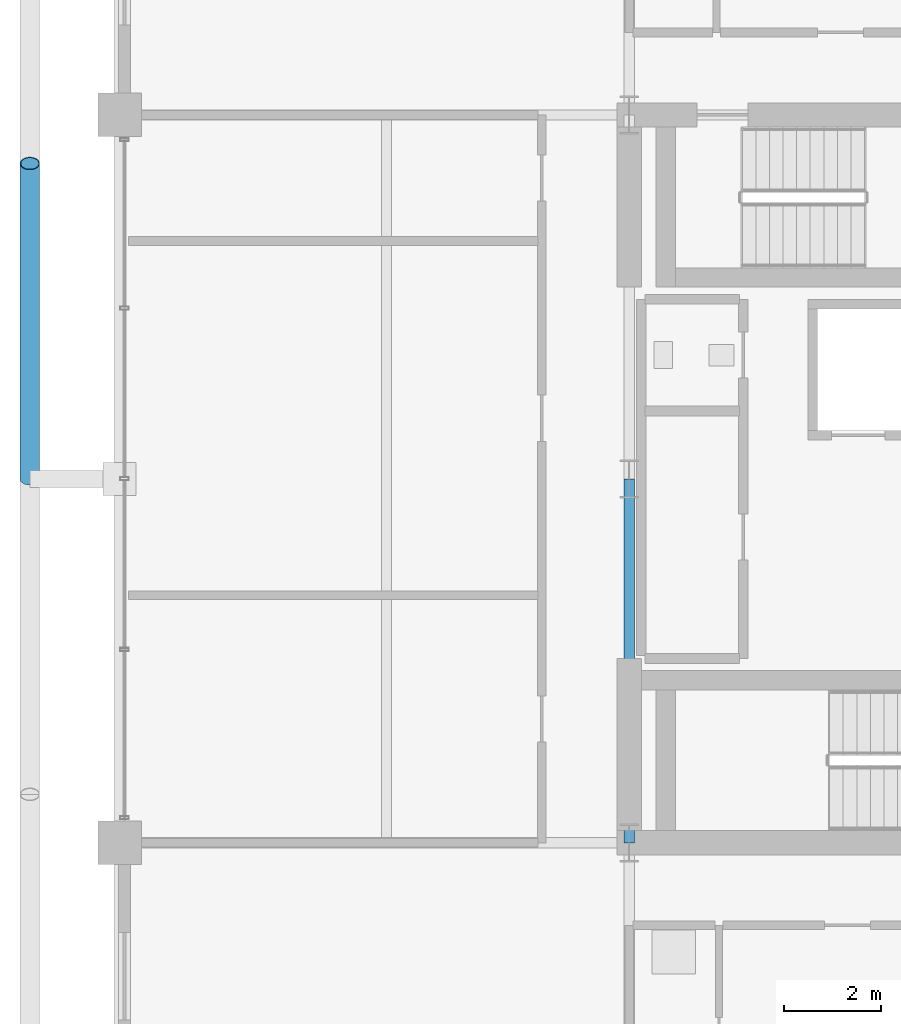
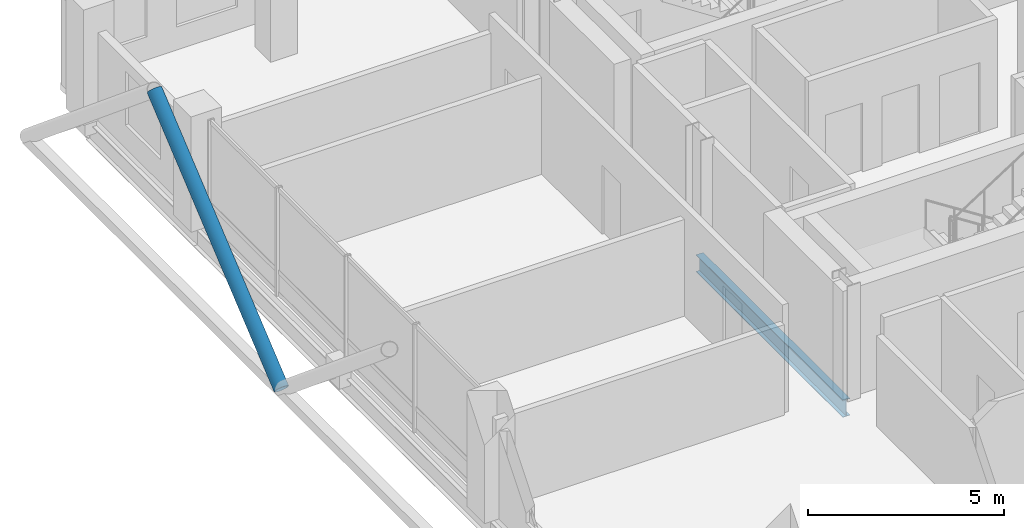
# One storey, part 9 of 24: 1 beam, 1 member.
"""IFC4 building model written with IfcOpenShell, lengths in metres."""

import ifcopenshell
import ifcopenshell.guid

model = None  # the IFC model being written
_history = None  # IfcOwnerHistory: only IFC2X3 demands one
_inside = {}  # id of a spatial element -> (the spatial element, [elements in it])
_under = {}  # id of a project, library or spatial element -> (it, [spatial elements below it])
_declared = {}  # id of a project -> (the project, [libraries it declares])
_typed = {}  # id of a type object -> (the type object, [elements of that type])
_made_of = {}  # id of a material, layer set ... -> (it, [elements and type objects made of it])


def new_model(schema):
    """Start an empty IFC model of exactly this schema.

    Asked for "IFC4X3", IfcOpenShell would pick the latest addendum, in which some entities
    have other attributes; the version numbers below select the first issue.
    IFC2X3 requires an IfcOwnerHistory on every rooted entity: one is made here for all.
    """
    global model, _history
    if schema == "IFC4X3":
        model = ifcopenshell.file(schema_version=(4, 3, 0, 0))
    else:
        model = ifcopenshell.file(schema=schema)
    _inside.clear()
    _under.clear()
    _declared.clear()
    _typed.clear()
    _made_of.clear()
    _history = None
    if model.schema == "IFC2X3":
        org = make("IfcOrganization", Name="unknown")
        user = make(
            "IfcPersonAndOrganization",
            ThePerson=make("IfcPerson", FamilyName="unknown"),
            TheOrganization=org,
        )
        app = make(
            "IfcApplication",
            ApplicationDeveloper=org,
            Version="unknown",
            ApplicationFullName="unknown",
            ApplicationIdentifier="unknown",
        )
        _history = make(
            "IfcOwnerHistory",
            OwningUser=user,
            OwningApplication=app,
            ChangeAction="ADDED",
            CreationDate=0,
        )
    return model


def make(cls, **values):
    """One entity of the class cls with the attributes given. An attribute that is None is left unset."""
    return model.create_entity(
        cls, **{name: value for name, value in values.items() if value is not None}
    )


def rooted(cls, **values):
    """An entity with a GlobalId (a new one), such as an element, a storey or a relation."""
    return make(cls, GlobalId=ifcopenshell.guid.new(), OwnerHistory=_history, **values)


def si_unit(unit_type, name, prefix=None):
    """IfcSIUnit, for example si_unit("LENGTHUNIT", "METRE", prefix="MILLI")."""
    return make("IfcSIUnit", UnitType=unit_type, Prefix=prefix, Name=name)


def assignment(units):
    """IfcUnitAssignment: the units of a project."""
    return None if units is None else make("IfcUnitAssignment", Units=units)


def point(xyz):
    """IfcCartesianPoint."""
    return None if xyz is None else make("IfcCartesianPoint", Coordinates=xyz)


def direction(xyz):
    """IfcDirection."""
    return None if xyz is None else make("IfcDirection", DirectionRatios=xyz)


def frame(location, z_axis=None, x_axis=None):
    """IfcAxis2Placement3D, a coordinate frame: its origin and axes. An axis left out is left unset."""
    return make(
        "IfcAxis2Placement3D",
        Location=point(location),
        Axis=direction(z_axis),
        RefDirection=direction(x_axis),
    )


def frame_2d(location, x_axis=None):
    """IfcAxis2Placement2D, a coordinate frame in the plane: its origin and x axis."""
    return make(
        "IfcAxis2Placement2D", Location=point(location), RefDirection=direction(x_axis)
    )


def origin():
    """The frame at (0, 0, 0) with its axes left unset."""
    return frame((0.0, 0.0, 0.0))


def origin_2d():
    """The frame at (0, 0) in the plane with its x axis left unset."""
    return frame_2d((0.0, 0.0))


def place(relative_to, where):
    """IfcLocalPlacement: puts the frame where relative to a parent placement (None: the world)."""
    return make(
        "IfcLocalPlacement", PlacementRelTo=relative_to, RelativePlacement=where
    )


def context(
    kind, dimensions, precision=None, world=None, true_north=None, identifier=None
):
    """IfcGeometricRepresentationContext, for example the 3D "Model" context."""
    return make(
        "IfcGeometricRepresentationContext",
        ContextIdentifier=identifier,
        ContextType=kind,
        CoordinateSpaceDimension=dimensions,
        Precision=precision,
        WorldCoordinateSystem=world,
        TrueNorth=true_north,
    )


def subcontext(parent, identifier, kind, view, scale=None):
    """IfcGeometricRepresentationSubContext, for example "Body" below "Model"."""
    return make(
        "IfcGeometricRepresentationSubContext",
        ContextIdentifier=identifier,
        ContextType=kind,
        ParentContext=parent,
        TargetScale=scale,
        TargetView=view,
    )


def project(units=None, contexts=None):
    """IfcProject with its units and contexts."""
    return rooted(
        "IfcProject",
        Name="project",
        RepresentationContexts=contexts,
        UnitsInContext=assignment(units),
    )


def spatial(cls, under=None, at=None, **own):
    """A site, building, storey or space (cls), placed at a placement, below another one or the project."""
    s = rooted(cls, ObjectPlacement=at, **own)
    if under is not None:
        _under.setdefault(under.id(), (under, []))[1].append(s)
    return s


def profile(cls, at=None, kind="AREA", **sizes):
    """A parametric profile (cls). Its sizes go by their IFC names, for example OverallWidth=200.0."""
    return make(cls, ProfileType=kind, Position=at, **sizes)


def hollow_circle(**sizes):
    """IfcCircleHollowProfileDef."""
    return profile("IfcCircleHollowProfileDef", **sizes)


def i_section(**sizes):
    """IfcIShapeProfileDef."""
    return profile("IfcIShapeProfileDef", **sizes)


def extrude(swept, where, along, depth):
    """IfcExtrudedAreaSolid: the profile swept, set in the frame where, extruded along a direction by depth."""
    return make(
        "IfcExtrudedAreaSolid",
        SweptArea=swept,
        Position=where,
        ExtrudedDirection=direction(along),
        Depth=depth,
    )


def shape(context_of_items, identifier, shape_type, items):
    """IfcShapeRepresentation: the items that make up one representation, for example the "Body"."""
    return make(
        "IfcShapeRepresentation",
        ContextOfItems=context_of_items,
        RepresentationIdentifier=identifier,
        RepresentationType=shape_type,
        Items=items,
    )


def material(Name=None, Category=None):
    """IfcMaterial."""
    return make("IfcMaterial", Name=Name, Category=Category)


def material_profile(
    of_material, cross_section, Name=None, Category=None, Priority=None
):
    """IfcMaterialProfile: a cross section and its material."""
    return make(
        "IfcMaterialProfile",
        Name=Name,
        Material=of_material,
        Profile=cross_section,
        Priority=Priority,
        Category=Category,
    )


def profile_set(profiles, Name=None, composite=None):
    """IfcMaterialProfileSet."""
    return make(
        "IfcMaterialProfileSet",
        Name=Name,
        MaterialProfiles=profiles,
        CompositeProfile=composite,
    )


def made_of(thing, what):
    """Note that an element or type object is made of a material, layer set ...; save() writes the relation."""
    if what is not None:
        _made_of.setdefault(what.id(), (what, []))[1].append(thing)
    return thing


def type_object(cls, material=None, **own):
    """A type object (cls), such as IfcWallType, which elements share."""
    return made_of(rooted(cls, **own), material)


def element(
    cls,
    number,
    at=None,
    inside=None,
    cuts=None,
    type_object=None,
    material=None,
    context=None,
    identifier="Body",
    shape_type=None,
    held_by="IfcProductDefinitionShape",
    body=None,
    shapes=None,
    **own,
):
    """One element of the class cls, such as IfcWall. Its Tag is "e" and its number.

    at: its placement. inside: the storey or other place that contains it. cuts: it is an
    opening in that element (IfcRelVoidsElement). A single representation is given by context,
    identifier, shape_type and body (its items); several are given by shapes. held_by: the class
    of the entity that holds the representations. save() writes the other relations.
    """
    e = rooted(cls, Tag="e%d" % number, ObjectPlacement=at, **own)
    if body is not None:
        shapes = [shape(context, identifier, shape_type, body)]
    if shapes is not None:
        e.Representation = make(held_by, Representations=shapes)
    if inside is not None:
        _inside.setdefault(inside.id(), (inside, []))[1].append(e)
    if cuts is not None:
        rooted(
            "IfcRelVoidsElement", RelatingBuildingElement=cuts, RelatedOpeningElement=e
        )
    if type_object is not None:
        _typed.setdefault(type_object.id(), (type_object, []))[1].append(e)
    return made_of(e, material)


def aggregate(whole, parts):
    """IfcRelAggregates: a whole, such as a stair, and the parts it consists of."""
    return rooted("IfcRelAggregates", RelatingObject=whole, RelatedObjects=parts)


def save(model, path):
    """Write the relations noted so far, then the file.

    IfcRelAggregates (storeys below a building ...), IfcRelContainedInSpatialStructure (elements
    in a storey), IfcRelDefinesByType, IfcRelAssociatesMaterial and IfcRelDeclares: one each for
    every whole, place, type object, material and project.
    """
    for whole, parts in _under.values():
        aggregate(whole, parts)
    for where, things in _inside.values():
        rooted(
            "IfcRelContainedInSpatialStructure",
            RelatedElements=things,
            RelatingStructure=where,
        )
    for kind, things in _typed.values():
        rooted("IfcRelDefinesByType", RelatedObjects=things, RelatingType=kind)
    for what, things in _made_of.values():
        rooted("IfcRelAssociatesMaterial", RelatedObjects=things, RelatingMaterial=what)
    for by, libraries in _declared.values():
        rooted("IfcRelDeclares", RelatingContext=by, RelatedDefinitions=libraries)
    model.write(path)


model = new_model("IFC4")

# Units and contexts
model_context = context("Model", 3, precision=1e-05, world=origin(), true_north=direction((0.0, 1.0)))
body_context = subcontext(model_context, "Body", "Model", "MODEL_VIEW")
ifc_project = project(units=[si_unit("LENGTHUNIT", "METRE"), si_unit("AREAUNIT", "SQUARE_METRE"), si_unit("VOLUMEUNIT", "CUBIC_METRE"), si_unit("PLANEANGLEUNIT", "RADIAN"), si_unit("MASSUNIT", "GRAM", prefix="KILO")], contexts=[model_context])

# Site, building, storey
site_placement = place(None, origin())
site = spatial("IfcSite", under=ifc_project, at=site_placement, CompositionType="ELEMENT")
building_placement = place(site_placement, origin())
building = spatial("IfcBuilding", under=site, at=building_placement, Name="Barlavira Tower and Art Museum", CompositionType="ELEMENT")
storey_placement = place(building_placement, frame((0.0, 0.0, 240.300048828125)))
storey = spatial("IfcBuildingStorey", under=building, at=storey_placement, Name="L62", CompositionType="ELEMENT", Elevation=240.300048828125)

# Member
ifc_material = material(Name="Steel S355", Category="steel")
ifc_material_profile_1 = material_profile(ifc_material, hollow_circle(Radius=0.203125, WallThickness=0.01611328125, at=origin_2d()), Name="CHS 406.4x16.0")
ifc_profile_set_1 = profile_set([ifc_material_profile_1], Name="Steel S355")
member_type = type_object("IfcMemberType", Name="Pale-Metal Exoskeleton Diagrid Tube CHS 406x16 Steel S355", PredefinedType="BRACE", material=ifc_profile_set_1)
member_placement = place(storey_placement, frame((-18.85009765625, 0.0, -0.1201171875), z_axis=(0.0, 0.76918185268, 0.639029950399), x_axis=(-1.0, 0.0, 0.0)))
element("IfcMember", 1, at=member_placement, inside=storey, type_object=member_type, Name="L62 Exoskeleton Diagrid Tube W", PredefinedType="BRACE", context=body_context, shape_type="SweptSolid", body=[
    extrude(hollow_circle(Radius=0.203125, WallThickness=0.01611328125, at=origin_2d()), origin(), (0.0, 0.0, 1.0), 8.450439453125),
])

# Beam
ifc_material_profile_2 = material_profile(ifc_material, i_section(OverallWidth=0.2109375, OverallDepth=0.5390625, WebThickness=0.01171875, FlangeThickness=0.018798828125, at=origin_2d()), Name="W530x109.0")
ifc_profile_set_2 = profile_set([ifc_material_profile_2], Name="Steel S355")
beam_type = type_object("IfcBeamType", Name="Zone 3-4 Primary Floor Girder W530x109 Steel S355", PredefinedType="BEAM", material=ifc_profile_set_2)
beam_placement = place(storey_placement, frame((-6.5, -7.5, -0.489501953125), z_axis=(0.0, 1.0, 0.0), x_axis=(-1.0, 0.0, 0.0)))
element("IfcBeam", 2, at=beam_placement, inside=storey, type_object=beam_type, Name="L62 Girder C-W1", PredefinedType="BEAM", context=body_context, shape_type="SweptSolid", body=[
    extrude(i_section(OverallWidth=0.2109375, OverallDepth=0.5390625, WebThickness=0.01171875, FlangeThickness=0.018798828125, at=origin_2d()), origin(), (0.0, 0.0, 1.0), 7.5),
])

save(model, "model.ifc")
